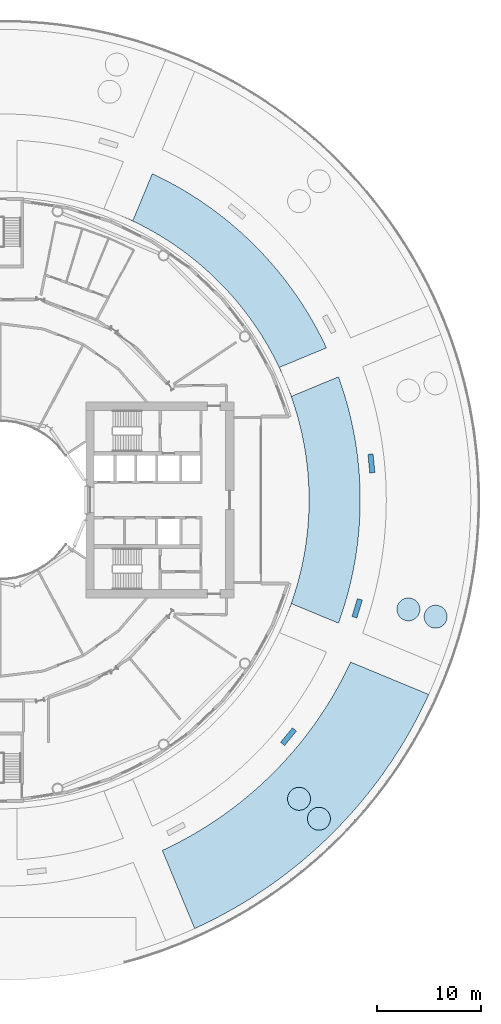
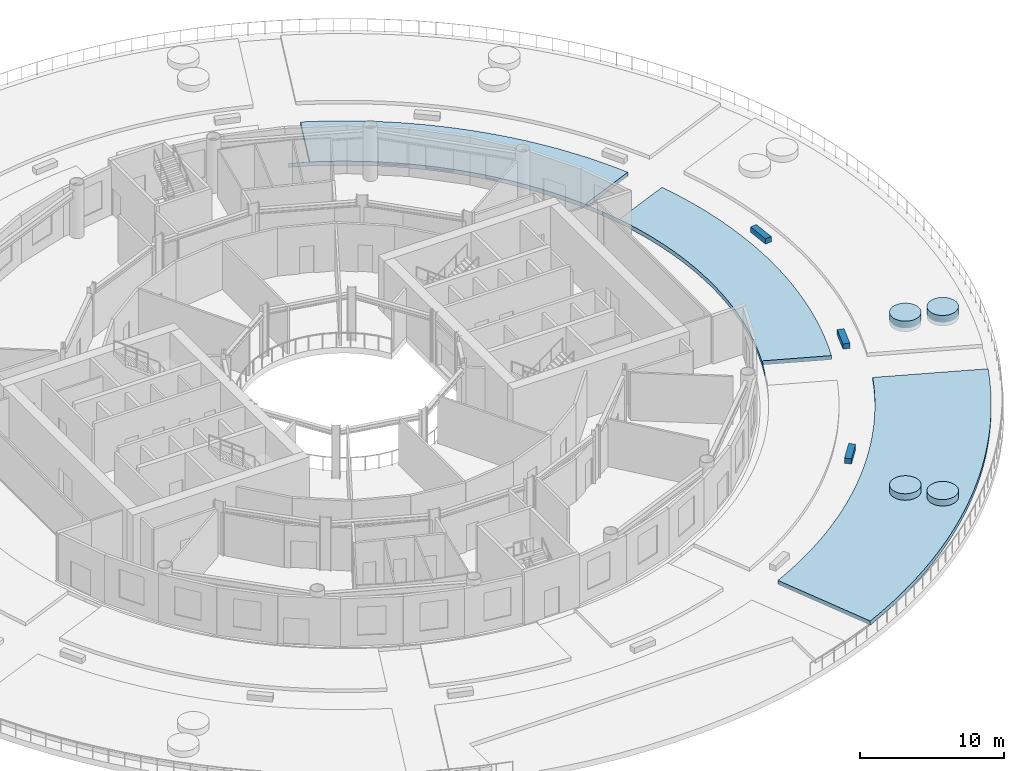
# One storey, part 7 of 19: 10 slabs.
"""IFC4 building model written with IfcOpenShell, lengths in metres."""

from ifc_helpers import new_model, si_unit, direction, frame, origin, place, context, subcontext, project, spatial, polyline, outline, extrude, material, layer, layer_set, type_object, element, save


model = new_model("IFC4")

# Units and contexts
model_context = context("Model", 3, precision=1e-05, world=origin(), true_north=direction((0.0, 1.0)))
body_context = subcontext(model_context, "Body", "Model", "MODEL_VIEW")
ifc_project = project(units=[si_unit("LENGTHUNIT", "METRE"), si_unit("AREAUNIT", "SQUARE_METRE"), si_unit("VOLUMEUNIT", "CUBIC_METRE"), si_unit("PLANEANGLEUNIT", "RADIAN"), si_unit("MASSUNIT", "GRAM", prefix="KILO")], contexts=[model_context])

# Site, building, storey
site_placement = place(None, origin())
site = spatial("IfcSite", under=ifc_project, at=site_placement, CompositionType="ELEMENT")
building_placement = place(site_placement, origin())
building = spatial("IfcBuilding", under=site, at=building_placement, Name="Maasbend Ring Residences", CompositionType="ELEMENT")
storey_placement = place(building_placement, frame((0.0, 0.0, 9.60009765625)))
storey = spatial("IfcBuildingStorey", under=building, at=storey_placement, Name="L02", CompositionType="ELEMENT", Elevation=9.60009765625)

# Slabs
ifc_material_1 = material(Name="Timber slats on steel frame", Category="steel")
ifc_layer_1 = layer(ifc_material_1, 0.449951171875)
ifc_layer_set_1 = layer_set([ifc_layer_1], Name="BENCH-DK")
slab_type_1 = type_object("IfcSlabType", Name="BENCH-DK", PredefinedType="USERDEFINED", material=ifc_layer_set_1)
slab_1_placement = place(storey_placement, frame((0.0, 0.0, 0.0498046875)))
element("IfcSlab", 1, at=slab_1_placement, inside=storey, type_object=slab_type_1, Name="Garden bench 1", ObjectType="BENCH", PredefinedType="USERDEFINED", context=body_context, shape_type="SweptSolid", body=[
    extrude(outline(polyline([(35.9150390625, 2.633056640625), (35.738037109375, 4.424072265625), (35.240966796875, 4.375), (35.4169921875, 2.583984375), (35.9150390625, 2.633056640625)])), origin(), (0.0, 0.0, 1.0), 0.4501953125),
])
slab_2_placement = place(storey_placement, frame((0.0, 0.0, 0.0498046875)))
element("IfcSlab", 2, at=slab_2_placement, inside=storey, type_object=slab_type_1, Name="Garden bench 15", ObjectType="BENCH", PredefinedType="USERDEFINED", context=body_context, shape_type="SweptSolid", body=[
    extrude(outline(polyline([(27.257080078125, -23.533935546875), (28.39892578125, -22.14208984375), (28.012939453125, -21.824951171875), (26.87109375, -23.217041015625), (27.257080078125, -23.533935546875)])), origin(), (0.0, 0.0, 1.0), 0.4501953125),
])
slab_3_placement = place(storey_placement, frame((0.0, 0.0, 0.0498046875)))
element("IfcSlab", 3, at=slab_3_placement, inside=storey, type_object=slab_type_1, Name="Garden bench 16", ObjectType="BENCH", PredefinedType="USERDEFINED", context=body_context, shape_type="SweptSolid", body=[
    extrude(outline(polyline([(34.18896484375, -11.31103515625), (34.7109375, -9.589111328125), (34.23291015625, -9.444091796875), (33.7099609375, -11.166015625), (34.18896484375, -11.31103515625)])), origin(), (0.0, 0.0, 1.0), 0.4501953125),
])
ifc_material_2 = material(Name="Lawn and planting")
ifc_layer_2 = layer(ifc_material_2, 0.89990234375)
ifc_layer_set_2 = layer_set([ifc_layer_2], Name="PLANTER-DK")
slab_type_2 = type_object("IfcSlabType", Name="PLANTER-DK", PredefinedType="USERDEFINED", material=ifc_layer_set_2)
slab_4_placement = place(storey_placement, origin())
element("IfcSlab", 4, at=slab_4_placement, inside=storey, type_object=slab_type_2, Name="Lawn and planting bed 2", ObjectType="PLANTER", PredefinedType="USERDEFINED", context=body_context, shape_type="SweptSolid", body=[
    extrude(outline(polyline([(40.448974609375, -19.947021484375), (40.116943359375, -20.60595703125), (39.77490234375, -21.260009765625), (39.4208984375, -21.907958984375), (39.05810546875, -22.550048828125), (38.68408203125, -23.18603515625), (38.299072265625, -23.81591796875), (37.904052734375, -24.43896484375), (37.4990234375, -25.055908203125), (37.083984375, -25.666015625), (36.658935546875, -26.27001953125), (36.22509765625, -26.865966796875), (35.780029296875, -27.455078125), (35.325927734375, -28.037109375), (34.863037109375, -28.611083984375), (34.389892578125, -29.177978515625), (33.907958984375, -29.736083984375), (33.4169921875, -30.287109375), (32.9169921875, -30.830078125), (32.407958984375, -31.364013671875), (31.89111328125, -31.89111328125), (31.364013671875, -32.407958984375), (30.830078125, -32.9169921875), (30.287109375, -33.4169921875), (29.736083984375, -33.907958984375), (29.177978515625, -34.389892578125), (28.611083984375, -34.863037109375), (28.037109375, -35.325927734375), (27.455078125, -35.780029296875), (26.865966796875, -36.22509765625), (26.27001953125, -36.658935546875), (25.666015625, -37.083984375), (25.055908203125, -37.4990234375), (24.43896484375, -37.904052734375), (23.81591796875, -38.299072265625), (23.18603515625, -38.68408203125), (22.550048828125, -39.05810546875), (21.907958984375, -39.4208984375), (21.260009765625, -39.77490234375), (20.60595703125, -40.116943359375), (19.947021484375, -40.448974609375), (19.282958984375, -40.77001953125), (18.635009765625, -41.070068359375), (15.532958984375, -33.580078125), (15.820068359375, -33.447998046875), (16.364990234375, -33.18408203125), (16.905029296875, -32.912109375), (17.44189453125, -32.631103515625), (17.972900390625, -32.341064453125), (18.5, -32.04296875), (19.02197265625, -31.736083984375), (19.5390625, -31.419921875), (20.050048828125, -31.096923828125), (20.555908203125, -30.763916015625), (21.056884765625, -30.424072265625), (21.552001953125, -30.074951171875), (22.041015625, -29.718994140625), (22.52392578125, -29.35400390625), (23.0009765625, -28.98193359375), (23.472900390625, -28.60107421875), (23.93701171875, -28.214111328125), (24.39599609375, -27.818115234375), (24.847900390625, -27.4150390625), (25.29296875, -27.0048828125), (25.73095703125, -26.587890625), (26.1630859375, -26.1630859375), (26.587890625, -25.73095703125), (27.0048828125, -25.29296875), (27.4150390625, -24.847900390625), (27.818115234375, -24.39599609375), (28.214111328125, -23.93701171875), (28.60107421875, -23.472900390625), (28.98193359375, -23.0009765625), (29.35400390625, -22.52392578125), (29.718994140625, -22.041015625), (30.074951171875, -21.552001953125), (30.424072265625, -21.056884765625), (30.763916015625, -20.555908203125), (31.096923828125, -20.050048828125), (31.419921875, -19.5390625), (31.736083984375, -19.02197265625), (32.04296875, -18.5), (32.341064453125, -17.972900390625), (32.631103515625, -17.44189453125), (32.912109375, -16.905029296875), (33.18408203125, -16.364990234375), (33.447998046875, -15.820068359375), (33.580078125, -15.532958984375), (41.070068359375, -18.635009765625), (41.080078125, -18.613037109375), (40.77001953125, -19.282958984375), (40.448974609375, -19.947021484375)]), holes=[polyline([(31.56298828125, -30.968017578125), (31.610107421875, -30.83203125), (31.637939453125, -30.69091796875), (31.64697265625, -30.547119140625), (31.637939453125, -30.403076171875), (31.610107421875, -30.261962890625), (31.56298828125, -30.1259765625), (31.5, -29.9970703125), (31.419921875, -29.876953125), (31.324951171875, -29.76904296875), (31.217041015625, -29.674072265625), (31.096923828125, -29.593994140625), (30.968017578125, -29.531005859375), (30.83203125, -29.48388671875), (30.69091796875, -29.4560546875), (30.547119140625, -29.447021484375), (30.403076171875, -29.4560546875), (30.261962890625, -29.48388671875), (30.1259765625, -29.531005859375), (29.9970703125, -29.593994140625), (29.876953125, -29.674072265625), (29.76904296875, -29.76904296875), (29.674072265625, -29.876953125), (29.593994140625, -29.9970703125), (29.531005859375, -30.1259765625), (29.48388671875, -30.261962890625), (29.4560546875, -30.403076171875), (29.447021484375, -30.547119140625), (29.4560546875, -30.69091796875), (29.48388671875, -30.83203125), (29.531005859375, -30.968017578125), (29.593994140625, -31.096923828125), (29.674072265625, -31.217041015625), (29.76904296875, -31.324951171875), (29.876953125, -31.419921875), (29.9970703125, -31.5), (30.1259765625, -31.56298828125), (30.261962890625, -31.610107421875), (30.403076171875, -31.637939453125), (30.547119140625, -31.64697265625), (30.69091796875, -31.637939453125), (30.83203125, -31.610107421875), (30.968017578125, -31.56298828125), (31.096923828125, -31.5), (31.217041015625, -31.419921875), (31.324951171875, -31.324951171875), (31.419921875, -31.217041015625), (31.5, -31.096923828125), (31.56298828125, -30.968017578125)]), polyline([(29.654052734375, -29.05908203125), (29.699951171875, -28.923095703125), (29.72802734375, -28.781005859375), (29.738037109375, -28.637939453125), (29.72802734375, -28.493896484375), (29.699951171875, -28.35302734375), (29.654052734375, -28.217041015625), (29.590087890625, -28.087890625), (29.510986328125, -27.968017578125), (29.416015625, -27.860107421875), (29.306884765625, -27.764892578125), (29.18798828125, -27.68505859375), (29.05908203125, -27.6220703125), (28.923095703125, -27.574951171875), (28.781005859375, -27.547119140625), (28.637939453125, -27.5380859375), (28.493896484375, -27.547119140625), (28.35302734375, -27.574951171875), (28.217041015625, -27.6220703125), (28.087890625, -27.68505859375), (27.968017578125, -27.764892578125), (27.860107421875, -27.860107421875), (27.764892578125, -27.968017578125), (27.68505859375, -28.087890625), (27.6220703125, -28.217041015625), (27.574951171875, -28.35302734375), (27.547119140625, -28.493896484375), (27.5380859375, -28.637939453125), (27.547119140625, -28.781005859375), (27.574951171875, -28.923095703125), (27.6220703125, -29.05908203125), (27.68505859375, -29.18798828125), (27.764892578125, -29.306884765625), (27.860107421875, -29.416015625), (27.968017578125, -29.510986328125), (28.087890625, -29.590087890625), (28.217041015625, -29.654052734375), (28.35302734375, -29.699951171875), (28.493896484375, -29.72802734375), (28.637939453125, -29.738037109375), (28.781005859375, -29.72802734375), (28.923095703125, -29.699951171875), (29.05908203125, -29.654052734375), (29.18798828125, -29.590087890625), (29.306884765625, -29.510986328125), (29.416015625, -29.416015625), (29.510986328125, -29.306884765625), (29.590087890625, -29.18798828125), (29.654052734375, -29.05908203125)])]), origin(), (0.0, 0.0, 1.0), 0.349853515625),
])
slab_5_placement = place(storey_placement, origin())
element("IfcSlab", 5, at=slab_5_placement, inside=storey, type_object=slab_type_2, Name="Lawn and planting bed 9", ObjectType="PLANTER", PredefinedType="USERDEFINED", context=body_context, shape_type="SweptSolid", body=[
    extrude(outline(polyline([(29.537109375, 1.93603515625), (29.5009765625, 2.4189453125), (29.45703125, 2.90087890625), (29.406005859375, 3.383056640625), (29.346923828125, 3.864013671875), (29.280029296875, 4.343017578125), (29.205078125, 4.822021484375), (29.1220703125, 5.299072265625), (29.031005859375, 5.77490234375), (28.93310546875, 6.2490234375), (28.826904296875, 6.720947265625), (28.712890625, 7.19189453125), (28.591064453125, 7.660888671875), (28.4619140625, 8.1279296875), (28.324951171875, 8.592041015625), (28.180908203125, 9.054931640625), (28.029052734375, 9.514892578125), (27.8701171875, 9.971923828125), (27.702880859375, 10.427001953125), (27.529052734375, 10.8779296875), (27.346923828125, 11.326904296875), (27.9208984375, 9.94189453125), (32.4169921875, 11.803955078125), (32.48291015625, 11.623046875), (32.6689453125, 11.090087890625), (32.845947265625, 10.553955078125), (33.013916015625, 10.014892578125), (33.174072265625, 9.472900390625), (33.323974609375, 8.928955078125), (33.466064453125, 8.383056640625), (33.59912109375, 7.833984375), (33.721923828125, 7.282958984375), (33.8369140625, 6.73095703125), (33.943115234375, 6.176025390625), (34.0390625, 5.6201171875), (34.126953125, 5.06201171875), (34.205078125, 4.5029296875), (34.27392578125, 3.943115234375), (34.333984375, 3.382080078125), (34.385009765625, 2.819091796875), (34.426025390625, 2.256103515625), (34.4580078125, 1.693115234375), (34.48193359375, 1.12890625), (34.4951171875, 0.56396484375), (34.5, 0.0), (34.4951171875, -0.56396484375), (34.48193359375, -1.12890625), (34.4580078125, -1.693115234375), (34.426025390625, -2.256103515625), (34.385009765625, -2.819091796875), (34.333984375, -3.382080078125), (34.27392578125, -3.943115234375), (34.205078125, -4.5029296875), (34.126953125, -5.06201171875), (34.0390625, -5.6201171875), (33.943115234375, -6.176025390625), (33.8369140625, -6.73095703125), (33.721923828125, -7.282958984375), (33.59912109375, -7.833984375), (33.466064453125, -8.383056640625), (33.323974609375, -8.928955078125), (33.174072265625, -9.472900390625), (33.013916015625, -10.014892578125), (32.845947265625, -10.553955078125), (32.6689453125, -11.090087890625), (32.48291015625, -11.623046875), (32.4169921875, -11.803955078125), (27.9208984375, -9.94189453125), (27.346923828125, -11.326904296875), (27.529052734375, -10.8779296875), (27.702880859375, -10.427001953125), (27.8701171875, -9.971923828125), (28.029052734375, -9.514892578125), (28.180908203125, -9.054931640625), (28.324951171875, -8.592041015625), (28.4619140625, -8.1279296875), (28.591064453125, -7.660888671875), (28.712890625, -7.19189453125), (28.826904296875, -6.720947265625), (28.93310546875, -6.2490234375), (29.031005859375, -5.77490234375), (29.1220703125, -5.299072265625), (29.205078125, -4.822021484375), (29.280029296875, -4.343017578125), (29.346923828125, -3.864013671875), (29.406005859375, -3.383056640625), (29.45703125, -2.90087890625), (29.5009765625, -2.4189453125), (29.537109375, -1.93603515625), (29.56396484375, -1.451904296875), (29.583984375, -0.968017578125), (29.595947265625, -0.48388671875), (29.60009765625, 0.0), (29.595947265625, 0.48388671875), (29.583984375, 0.968017578125), (29.56396484375, 1.451904296875), (29.537109375, 1.93603515625)])), origin(), (0.0, 0.0, 1.0), 0.349853515625),
])
slab_6_placement = place(storey_placement, origin())
element("IfcSlab", 6, at=slab_6_placement, inside=storey, type_object=slab_type_2, Name="Lawn and planting bed 10", ObjectType="PLANTER", PredefinedType="USERDEFINED", context=body_context, shape_type="SweptSolid", body=[
    extrude(outline(polyline([(26.9619140625, 12.216064453125), (26.758056640625, 12.656005859375), (26.547119140625, 13.092041015625), (26.330078125, 13.52392578125), (26.10498046875, 13.952880859375), (25.873046875, 14.37890625), (25.634033203125, 14.800048828125), (25.388916015625, 15.217041015625), (25.135986328125, 15.631103515625), (24.876953125, 16.0400390625), (24.612060546875, 16.445068359375), (24.339111328125, 16.844970703125), (24.06005859375, 17.240966796875), (23.77490234375, 17.633056640625), (23.48291015625, 18.01904296875), (23.18505859375, 18.40087890625), (22.881103515625, 18.778076171875), (22.571044921875, 19.14990234375), (22.25390625, 19.51708984375), (21.931884765625, 19.8779296875), (21.60400390625, 20.23388671875), (21.27001953125, 20.5849609375), (20.929931640625, 20.929931640625), (20.5849609375, 21.27001953125), (20.23388671875, 21.60400390625), (19.8779296875, 21.931884765625), (19.51708984375, 22.25390625), (19.14990234375, 22.571044921875), (18.778076171875, 22.881103515625), (18.40087890625, 23.18505859375), (18.01904296875, 23.48291015625), (17.633056640625, 23.77490234375), (17.240966796875, 24.06005859375), (16.844970703125, 24.339111328125), (16.445068359375, 24.612060546875), (16.0400390625, 24.876953125), (15.631103515625, 25.135986328125), (15.217041015625, 25.388916015625), (14.800048828125, 25.634033203125), (14.37890625, 25.873046875), (13.952880859375, 26.10498046875), (13.52392578125, 26.330078125), (13.092041015625, 26.547119140625), (12.656005859375, 26.758056640625), (12.216064453125, 26.9619140625), (11.77294921875, 27.157958984375), (11.326904296875, 27.346923828125), (12.712890625, 26.77294921875), (14.575927734375, 31.26904296875), (14.7509765625, 31.18798828125), (15.259033203125, 30.94189453125), (15.762939453125, 30.68798828125), (16.262939453125, 30.426025390625), (16.759033203125, 30.156005859375), (17.25, 29.8779296875), (17.737060546875, 29.592041015625), (18.218017578125, 29.297119140625), (18.695068359375, 28.9951171875), (19.1669921875, 28.68603515625), (19.634033203125, 28.367919921875), (20.094970703125, 28.04296875), (20.552001953125, 27.7109375), (21.001953125, 27.37109375), (21.447021484375, 27.02294921875), (21.886962890625, 26.6689453125), (22.320068359375, 26.306884765625), (22.7470703125, 25.93798828125), (23.1689453125, 25.56298828125), (23.583984375, 25.179931640625), (23.992919921875, 24.791015625), (24.39501953125, 24.39501953125), (24.791015625, 23.992919921875), (25.179931640625, 23.583984375), (25.56298828125, 23.1689453125), (25.93798828125, 22.7470703125), (26.306884765625, 22.320068359375), (26.6689453125, 21.886962890625), (27.02294921875, 21.447021484375), (27.37109375, 21.001953125), (27.7109375, 20.552001953125), (28.04296875, 20.094970703125), (28.367919921875, 19.634033203125), (28.68603515625, 19.1669921875), (28.9951171875, 18.695068359375), (29.297119140625, 18.218017578125), (29.592041015625, 17.737060546875), (29.8779296875, 17.25), (30.156005859375, 16.759033203125), (30.426025390625, 16.262939453125), (30.68798828125, 15.762939453125), (30.94189453125, 15.259033203125), (31.18798828125, 14.7509765625), (31.26904296875, 14.575927734375), (26.77294921875, 12.712890625), (27.346923828125, 11.326904296875), (27.157958984375, 11.77294921875), (26.9619140625, 12.216064453125)])), origin(), (0.0, 0.0, 1.0), 0.349853515625),
])
slab_7_placement = place(storey_placement, origin())
element("IfcSlab", 7, at=slab_7_placement, inside=storey, type_object=slab_type_2, Name="Tree planter 9", ObjectType="PLANTER", PredefinedType="USERDEFINED", context=body_context, shape_type="SweptSolid", body=[
    extrude(outline(polyline([(29.738037109375, -28.637939453125), (29.72802734375, -28.781005859375), (29.699951171875, -28.923095703125), (29.654052734375, -29.05908203125), (29.590087890625, -29.18798828125), (29.510986328125, -29.306884765625), (29.416015625, -29.416015625), (29.306884765625, -29.510986328125), (29.18798828125, -29.590087890625), (29.05908203125, -29.654052734375), (28.923095703125, -29.699951171875), (28.781005859375, -29.72802734375), (28.637939453125, -29.738037109375), (28.493896484375, -29.72802734375), (28.35302734375, -29.699951171875), (28.217041015625, -29.654052734375), (28.087890625, -29.590087890625), (27.968017578125, -29.510986328125), (27.860107421875, -29.416015625), (27.764892578125, -29.306884765625), (27.68505859375, -29.18798828125), (27.6220703125, -29.05908203125), (27.574951171875, -28.923095703125), (27.547119140625, -28.781005859375), (27.5380859375, -28.637939453125), (27.547119140625, -28.493896484375), (27.574951171875, -28.35302734375), (27.6220703125, -28.217041015625), (27.68505859375, -28.087890625), (27.764892578125, -27.968017578125), (27.860107421875, -27.860107421875), (27.968017578125, -27.764892578125), (28.087890625, -27.68505859375), (28.217041015625, -27.6220703125), (28.35302734375, -27.574951171875), (28.493896484375, -27.547119140625), (28.637939453125, -27.5380859375), (28.781005859375, -27.547119140625), (28.923095703125, -27.574951171875), (29.05908203125, -27.6220703125), (29.18798828125, -27.68505859375), (29.306884765625, -27.764892578125), (29.416015625, -27.860107421875), (29.510986328125, -27.968017578125), (29.590087890625, -28.087890625), (29.654052734375, -28.217041015625), (29.699951171875, -28.35302734375), (29.72802734375, -28.493896484375), (29.738037109375, -28.637939453125)])), origin(), (0.0, 0.0, 1.0), 0.89990234375),
])
slab_8_placement = place(storey_placement, origin())
element("IfcSlab", 8, at=slab_8_placement, inside=storey, type_object=slab_type_2, Name="Tree planter 10", ObjectType="PLANTER", PredefinedType="USERDEFINED", context=body_context, shape_type="SweptSolid", body=[
    extrude(outline(polyline([(40.219970703125, -10.48193359375), (40.2109375, -10.6259765625), (40.18310546875, -10.76708984375), (40.135986328125, -10.903076171875), (40.072998046875, -11.031982421875), (39.992919921875, -11.152099609375), (39.89794921875, -11.260009765625), (39.7900390625, -11.35498046875), (39.669921875, -11.43505859375), (39.541015625, -11.498046875), (39.405029296875, -11.544921875), (39.263916015625, -11.572998046875), (39.1201171875, -11.58203125), (38.97607421875, -11.572998046875), (38.8349609375, -11.544921875), (38.698974609375, -11.498046875), (38.570068359375, -11.43505859375), (38.449951171875, -11.35498046875), (38.342041015625, -11.260009765625), (38.2470703125, -11.152099609375), (38.1669921875, -11.031982421875), (38.10400390625, -10.903076171875), (38.056884765625, -10.76708984375), (38.029052734375, -10.6259765625), (38.02001953125, -10.48193359375), (38.029052734375, -10.339111328125), (38.056884765625, -10.197021484375), (38.10400390625, -10.06103515625), (38.1669921875, -9.931884765625), (38.2470703125, -9.81298828125), (38.342041015625, -9.7041015625), (38.449951171875, -9.60888671875), (38.570068359375, -9.530029296875), (38.698974609375, -9.466064453125), (38.8349609375, -9.419921875), (38.97607421875, -9.39208984375), (39.1201171875, -9.382080078125), (39.263916015625, -9.39208984375), (39.405029296875, -9.419921875), (39.541015625, -9.466064453125), (39.669921875, -9.530029296875), (39.7900390625, -9.60888671875), (39.89794921875, -9.7041015625), (39.992919921875, -9.81298828125), (40.072998046875, -9.931884765625), (40.135986328125, -10.06103515625), (40.18310546875, -10.197021484375), (40.2109375, -10.339111328125), (40.219970703125, -10.48193359375)])), origin(), (0.0, 0.0, 1.0), 0.89990234375),
])
slab_9_placement = place(storey_placement, origin())
element("IfcSlab", 9, at=slab_9_placement, inside=storey, type_object=slab_type_2, Name="Tree planter 19", ObjectType="PLANTER", PredefinedType="USERDEFINED", context=body_context, shape_type="SweptSolid", body=[
    extrude(outline(polyline([(31.64697265625, -30.547119140625), (31.637939453125, -30.69091796875), (31.610107421875, -30.83203125), (31.56298828125, -30.968017578125), (31.5, -31.096923828125), (31.419921875, -31.217041015625), (31.324951171875, -31.324951171875), (31.217041015625, -31.419921875), (31.096923828125, -31.5), (30.968017578125, -31.56298828125), (30.83203125, -31.610107421875), (30.69091796875, -31.637939453125), (30.547119140625, -31.64697265625), (30.403076171875, -31.637939453125), (30.261962890625, -31.610107421875), (30.1259765625, -31.56298828125), (29.9970703125, -31.5), (29.876953125, -31.419921875), (29.76904296875, -31.324951171875), (29.674072265625, -31.217041015625), (29.593994140625, -31.096923828125), (29.531005859375, -30.968017578125), (29.48388671875, -30.83203125), (29.4560546875, -30.69091796875), (29.447021484375, -30.547119140625), (29.4560546875, -30.403076171875), (29.48388671875, -30.261962890625), (29.531005859375, -30.1259765625), (29.593994140625, -29.9970703125), (29.674072265625, -29.876953125), (29.76904296875, -29.76904296875), (29.876953125, -29.674072265625), (29.9970703125, -29.593994140625), (30.1259765625, -29.531005859375), (30.261962890625, -29.48388671875), (30.403076171875, -29.4560546875), (30.547119140625, -29.447021484375), (30.69091796875, -29.4560546875), (30.83203125, -29.48388671875), (30.968017578125, -29.531005859375), (31.096923828125, -29.593994140625), (31.217041015625, -29.674072265625), (31.324951171875, -29.76904296875), (31.419921875, -29.876953125), (31.5, -29.9970703125), (31.56298828125, -30.1259765625), (31.610107421875, -30.261962890625), (31.637939453125, -30.403076171875), (31.64697265625, -30.547119140625)])), origin(), (0.0, 0.0, 1.0), 0.89990234375),
])
slab_10_placement = place(storey_placement, origin())
element("IfcSlab", 10, at=slab_10_placement, inside=storey, type_object=slab_type_2, Name="Tree planter 20", ObjectType="PLANTER", PredefinedType="USERDEFINED", context=body_context, shape_type="SweptSolid", body=[
    extrude(outline(polyline([(42.827880859375, -11.180908203125), (42.819091796875, -11.324951171875), (42.791015625, -11.466064453125), (42.743896484375, -11.60205078125), (42.680908203125, -11.73095703125), (42.60107421875, -11.85107421875), (42.506103515625, -11.958984375), (42.39794921875, -12.053955078125), (42.278076171875, -12.134033203125), (42.14892578125, -12.197021484375), (42.012939453125, -12.243896484375), (41.8720703125, -12.27197265625), (41.72802734375, -12.281005859375), (41.583984375, -12.27197265625), (41.443115234375, -12.243896484375), (41.306884765625, -12.197021484375), (41.177978515625, -12.134033203125), (41.05810546875, -12.053955078125), (40.949951171875, -11.958984375), (40.85498046875, -11.85107421875), (40.77490234375, -11.73095703125), (40.7119140625, -11.60205078125), (40.6650390625, -11.466064453125), (40.636962890625, -11.324951171875), (40.6279296875, -11.180908203125), (40.636962890625, -11.037109375), (40.6650390625, -10.89599609375), (40.7119140625, -10.760009765625), (40.77490234375, -10.631103515625), (40.85498046875, -10.510986328125), (40.949951171875, -10.403076171875), (41.05810546875, -10.30810546875), (41.177978515625, -10.22802734375), (41.306884765625, -10.1650390625), (41.443115234375, -10.117919921875), (41.583984375, -10.090087890625), (41.72802734375, -10.0810546875), (41.8720703125, -10.090087890625), (42.012939453125, -10.117919921875), (42.14892578125, -10.1650390625), (42.278076171875, -10.22802734375), (42.39794921875, -10.30810546875), (42.506103515625, -10.403076171875), (42.60107421875, -10.510986328125), (42.680908203125, -10.631103515625), (42.743896484375, -10.760009765625), (42.791015625, -10.89599609375), (42.819091796875, -11.037109375), (42.827880859375, -11.180908203125)])), origin(), (0.0, 0.0, 1.0), 0.89990234375),
])

save(model, "model.ifc")
